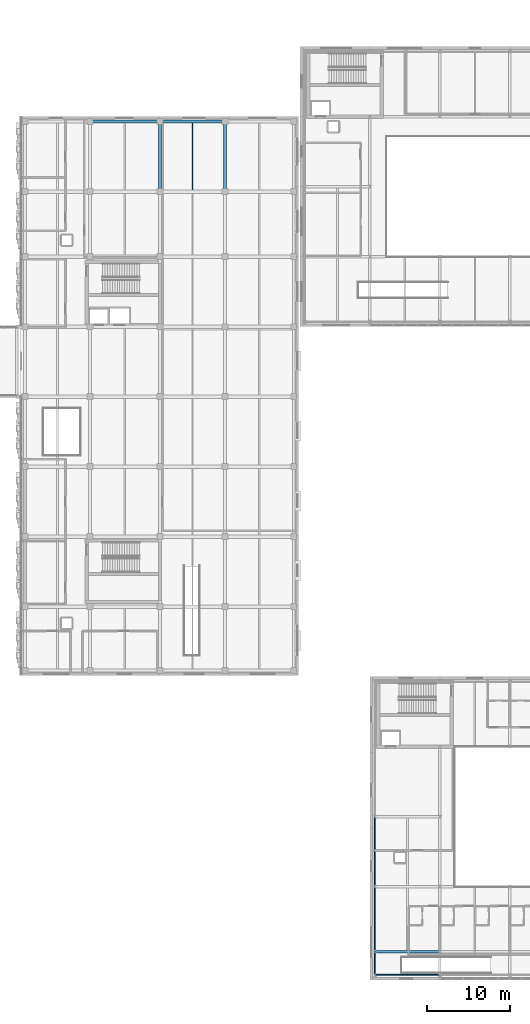
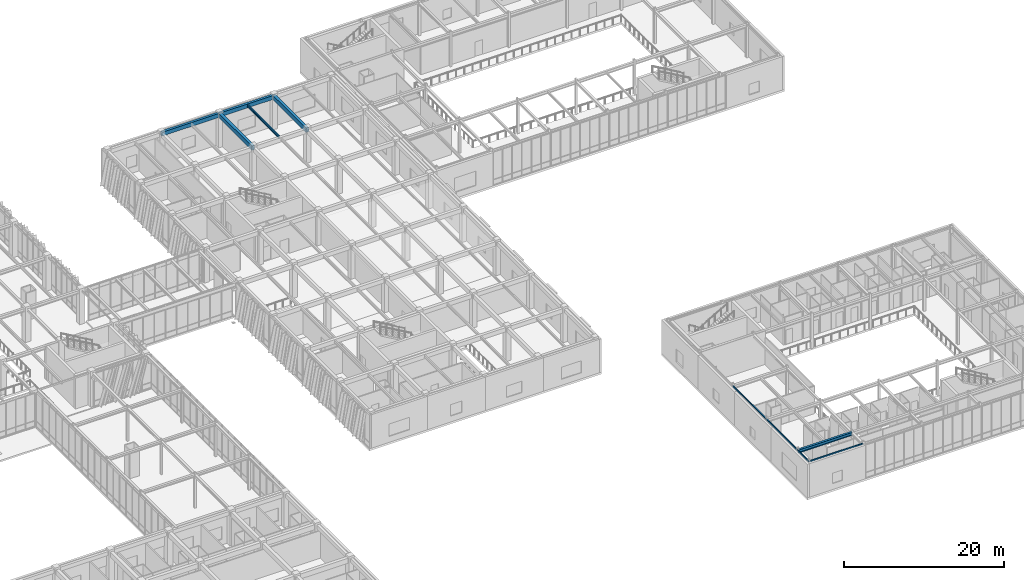
# One storey, part 75 of 139: 10 beams.
"""IFC4 building model written with IfcOpenShell, lengths in metres."""

from ifc_helpers import new_model, si_unit, direction, frame, origin, origin_2d, place, context, subcontext, project, spatial, rectangle, hollow_rectangle, i_section, extrude, material, material_profile, profile_set, type_object, element, save


model = new_model("IFC4")

# Units and contexts
model_context = context("Model", 3, precision=1e-05, world=origin(), true_north=direction((0.0, 1.0)))
body_context = subcontext(model_context, "Body", "Model", "MODEL_VIEW")
ifc_project = project(units=[si_unit("LENGTHUNIT", "METRE"), si_unit("AREAUNIT", "SQUARE_METRE"), si_unit("VOLUMEUNIT", "CUBIC_METRE"), si_unit("PLANEANGLEUNIT", "RADIAN"), si_unit("MASSUNIT", "GRAM", prefix="KILO")], contexts=[model_context])

# Site, building, storey
site_placement = place(None, origin())
site = spatial("IfcSite", under=ifc_project, at=site_placement, CompositionType="ELEMENT")
building_placement = place(site_placement, origin())
building = spatial("IfcBuilding", under=site, at=building_placement, Name="Zayran Congress Hotel", CompositionType="ELEMENT")
storey_placement = place(building_placement, frame((0.0, 0.0, 5.39990234375)))
storey = spatial("IfcBuildingStorey", under=building, at=storey_placement, Name="L01", CompositionType="ELEMENT", Elevation=5.39990234375)

# Beams
ifc_material_1 = material(Name="Concrete C40/50", Category="concrete")
ifc_material_profile_1 = material_profile(ifc_material_1, rectangle(XDim=0.39990234375, YDim=0.64990234375, at=origin_2d()), Name="RC 400x650")
ifc_profile_set_1 = profile_set([ifc_material_profile_1], Name="Concrete C40/50")
beam_type_1 = type_object("IfcBeamType", Name="TP-BM-03", PredefinedType="BEAM", material=ifc_profile_set_1)
for number, where, z_axis, x_axis, name in (
    (1, (126.0, 100.60009765625, 4.775146484375), (0.0, 1.0, 0.0), (-1.0, 0.0, 0.0), "BM-V4-L01-1365"),
    (2, (133.800048828125, 100.60009765625, 4.775146484375), (0.0, 1.0, 0.0), (-1.0, 0.0, 0.0), "BM-V4-L01-1373"),
):
    element("IfcBeam", number, at=place(storey_placement, frame(where, z_axis=z_axis, x_axis=x_axis)), inside=storey, type_object=beam_type_1, Name=name, PredefinedType="BEAM", context=body_context, shape_type="SweptSolid", body=[
        extrude(rectangle(XDim=0.39990234375, YDim=0.64990234375, at=origin_2d()), origin(), (0.0, 0.0, 1.0), 8.39990234375),
    ])
ifc_material_profile_2 = material_profile(ifc_material_1, rectangle(XDim=0.35009765625, YDim=0.60009765625, at=origin_2d()), Name="RC 350x600")
ifc_profile_set_2 = profile_set([ifc_material_profile_2], Name="Concrete C40/50")
beam_type_2 = type_object("IfcBeamType", Name="TP-SP-01", PredefinedType="SPANDREL", material=ifc_profile_set_2)
beam_1_placement = place(storey_placement, frame((117.60009765625, 109.0, 4.800048828125), z_axis=(1.0, 0.0, 0.0), x_axis=(0.0, 1.0, 0.0)))
element("IfcBeam", 3, at=beam_1_placement, inside=storey, type_object=beam_type_2, Name="BM-V4-L01-1341", PredefinedType="SPANDREL", context=body_context, shape_type="SweptSolid", body=[
    extrude(rectangle(XDim=0.35009765625, YDim=0.60009765625, at=origin_2d()), origin(), (0.0, 0.0, 1.0), 8.39990234375),
])
beam_2_placement = place(storey_placement, frame((126.0, 109.0, 4.800048828125), z_axis=(1.0, 0.0, 0.0), x_axis=(0.0, 1.0, 0.0)))
element("IfcBeam", 4, at=beam_2_placement, inside=storey, type_object=beam_type_2, Name="BM-V4-L01-1342", PredefinedType="SPANDREL", context=body_context, shape_type="SweptSolid", body=[
    extrude(rectangle(XDim=0.35009765625, YDim=0.60009765625, at=origin_2d()), origin(), (0.0, 0.0, 1.0), 7.800048828125),
])
ifc_material_2 = material(Name="Steel S355", Category="steel")
ifc_material_profile_3 = material_profile(ifc_material_2, i_section(OverallWidth=0.300048828125, OverallDepth=0.489990234375, WebThickness=0.011962890625, FlangeThickness=0.02294921875, at=origin_2d()), Name="HEA 500")
ifc_profile_set_3 = profile_set([ifc_material_profile_3], Name="Steel S355")
beam_type_3 = type_object("IfcBeamType", Name="TP-BM-05", PredefinedType="BEAM", material=ifc_profile_set_3)
beam_3_placement = place(storey_placement, frame((151.800048828125, 9.39990234375, 4.85498046875), z_axis=(1.0, 0.0, 0.0), x_axis=(0.0, 1.0, 0.0)))
element("IfcBeam", 5, at=beam_3_placement, inside=storey, type_object=beam_type_3, Name="BM-V3-L01-1116", PredefinedType="BEAM", context=body_context, shape_type="SweptSolid", body=[
    extrude(i_section(OverallWidth=0.300048828125, OverallDepth=0.489990234375, WebThickness=0.011962890625, FlangeThickness=0.02294921875, at=origin_2d()), origin(), (0.0, 0.0, 1.0), 7.800048828125),
])
ifc_material_profile_4 = material_profile(ifc_material_2, i_section(OverallWidth=0.169921875, OverallDepth=0.360107421875, WebThickness=0.008056640625, FlangeThickness=0.0126953125, at=origin_2d()), Name="IPE 360")
ifc_profile_set_4 = profile_set([ifc_material_profile_4], Name="Steel S355")
beam_type_4 = type_object("IfcBeamType", Name="TP-JS-04", PredefinedType="JOIST", material=ifc_profile_set_4)
beam_4_placement = place(storey_placement, frame((129.89990234375, 100.800048828125, 4.920166015625), z_axis=(0.0, 1.0, 0.0), x_axis=(-1.0, 0.0, 0.0)))
element("IfcBeam", 6, at=beam_4_placement, inside=storey, type_object=beam_type_4, Name="JST-V4-L01-1403", PredefinedType="JOIST", context=body_context, shape_type="SweptSolid", body=[
    extrude(i_section(OverallWidth=0.169921875, OverallDepth=0.360107421875, WebThickness=0.008056640625, FlangeThickness=0.0126953125, at=origin_2d()), origin(), (0.0, 0.0, 1.0), 8.02490234375),
])
ifc_material_profile_5 = material_profile(ifc_material_2, hollow_rectangle(XDim=0.1201171875, YDim=0.199951171875, WallThickness=0.008056640625, at=origin_2d()), Name="RHS 200x120x8")
ifc_profile_set_5 = profile_set([ifc_material_profile_5], Name="Steel S355")
beam_type_5 = type_object("IfcBeamType", Name="TP-SP-02", PredefinedType="SPANDREL", material=ifc_profile_set_5)
beam_5_placement = place(storey_placement, frame((151.800048828125, 6.60009765625, 5.0), z_axis=(1.0, 0.0, 0.0), x_axis=(0.0, 1.0, 0.0)))
element("IfcBeam", 7, at=beam_5_placement, inside=storey, type_object=beam_type_5, Name="BM-V3-L01-1111", PredefinedType="SPANDREL", context=body_context, shape_type="SweptSolid", body=[
    extrude(hollow_rectangle(XDim=0.1201171875, YDim=0.199951171875, WallThickness=0.008056640625, at=origin_2d()), origin(), (0.0, 0.0, 1.0), 7.800048828125),
])
beam_6_placement = place(storey_placement, frame((151.800048828125, 6.60009765625, 5.0), z_axis=(0.0, 1.0, 0.0), x_axis=(-1.0, 0.0, 0.0)))
element("IfcBeam", 8, at=beam_6_placement, inside=storey, type_object=beam_type_5, Name="BM-V3-L01-1138", PredefinedType="SPANDREL", context=body_context, shape_type="SweptSolid", body=[
    extrude(hollow_rectangle(XDim=0.1201171875, YDim=0.199951171875, WallThickness=0.008056640625, at=origin_2d()), origin(), (0.0, 0.0, 1.0), 2.7998046875),
])
beam_7_placement = place(storey_placement, frame((151.800048828125, 9.39990234375, 5.0), z_axis=(0.0, 1.0, 0.0), x_axis=(-1.0, 0.0, 0.0)))
element("IfcBeam", 9, at=beam_7_placement, inside=storey, type_object=beam_type_5, Name="BM-V3-L01-1139", PredefinedType="SPANDREL", context=body_context, shape_type="SweptSolid", body=[
    extrude(hollow_rectangle(XDim=0.1201171875, YDim=0.199951171875, WallThickness=0.008056640625, at=origin_2d()), origin(), (0.0, 0.0, 1.0), 7.800048828125),
])
beam_8_placement = place(storey_placement, frame((151.800048828125, 17.199951171875, 5.0), z_axis=(0.0, 1.0, 0.0), x_axis=(-1.0, 0.0, 0.0)))
element("IfcBeam", 10, at=beam_8_placement, inside=storey, type_object=beam_type_5, Name="BM-V3-L01-1140", PredefinedType="SPANDREL", context=body_context, shape_type="SweptSolid", body=[
    extrude(hollow_rectangle(XDim=0.1201171875, YDim=0.199951171875, WallThickness=0.008056640625, at=origin_2d()), origin(), (0.0, 0.0, 1.0), 8.400146484375),
])

save(model, "model.ifc")
